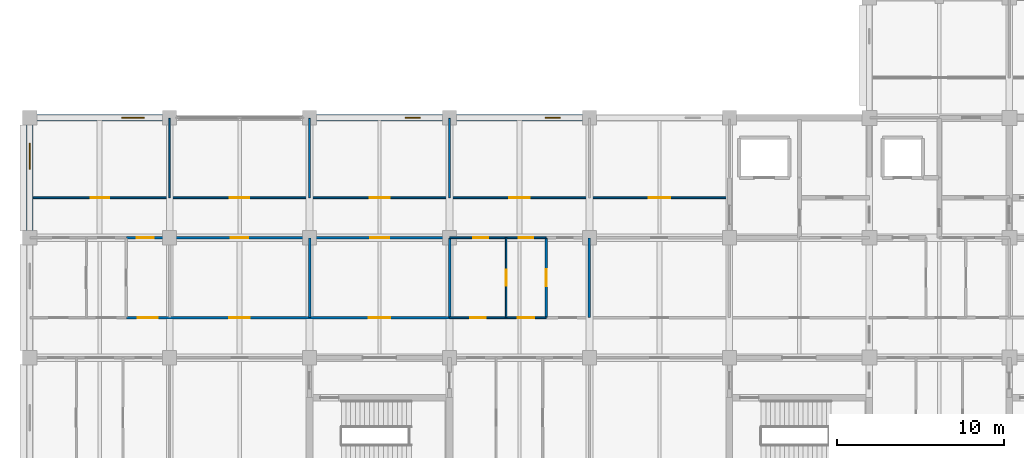
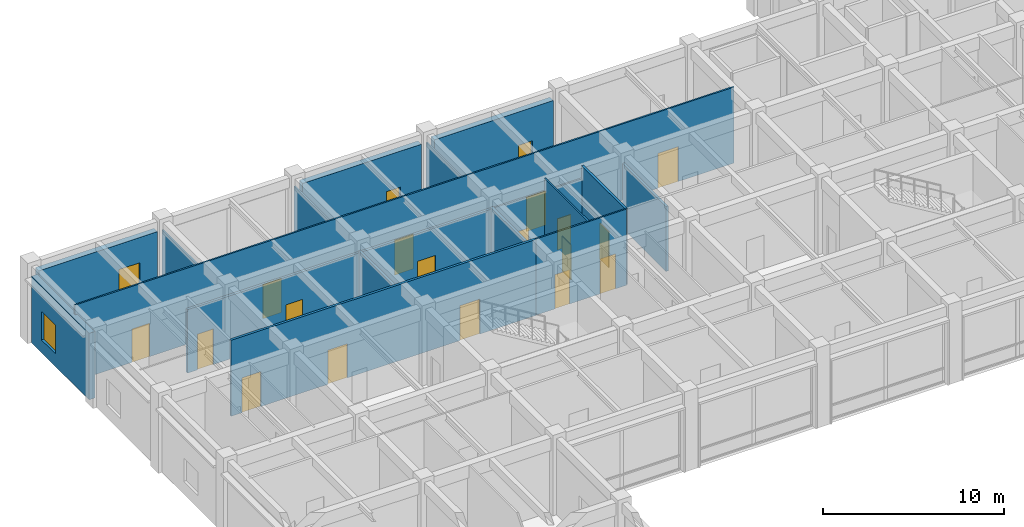
# One storey, part 43 of 68: 17 doors, 17 walls, 4 windows, 21 openings.
"""IFC4 building model written with IfcOpenShell, lengths in metres."""

from ifc_helpers import new_model, si_unit, direction, frame, frame_2d, origin, place, context, subcontext, project, spatial, rectangle, extrude, material, layer, layer_set, type_object, element, fill, save


model = new_model("IFC4")

# Units and contexts
model_context = context("Model", 3, precision=1e-05, world=origin(), true_north=direction((0.0, 1.0)))
body_context = subcontext(model_context, "Body", "Model", "MODEL_VIEW")
ifc_project = project(units=[si_unit("LENGTHUNIT", "METRE"), si_unit("AREAUNIT", "SQUARE_METRE"), si_unit("VOLUMEUNIT", "CUBIC_METRE"), si_unit("PLANEANGLEUNIT", "RADIAN"), si_unit("MASSUNIT", "GRAM", prefix="KILO")], contexts=[model_context])

# Site, building, storey
site_placement = place(None, origin())
site = spatial("IfcSite", under=ifc_project, at=site_placement, CompositionType="ELEMENT")
building_placement = place(site_placement, origin())
building = spatial("IfcBuilding", under=site, at=building_placement, Name="Chengyuan Square Courthouse", CompositionType="ELEMENT")
storey_placement = place(building_placement, frame((0.0, 0.0, 5.39990234375)))
storey = spatial("IfcBuildingStorey", under=building, at=storey_placement, Name="L02", CompositionType="ELEMENT", Elevation=5.39990234375)

# Wall, opening, window
ifc_material_1 = material(Name="Concrete C40", Category="concrete")
ifc_layer_1 = layer(ifc_material_1, 0.3798828125)
ifc_layer_set_1 = layer_set([ifc_layer_1], Name="Concrete C40")
wall_type_1 = type_object("IfcWallType", Name="WL-EW1", PredefinedType="STANDARD", material=ifc_layer_set_1)
wall_1_placement = place(storey_placement, frame((0.419921875, 108.0, 0.0), z_axis=(0.0, 0.0, 1.0), x_axis=(1.0, 0.0, 0.0)))
wall_1 = element("IfcWall", 1, at=wall_1_placement, inside=storey, type_object=wall_type_1, Name="Exterior Wall WL-L02-E214", PredefinedType="STANDARD", context=body_context, shape_type="SweptSolid", body=[
    extrude(rectangle(XDim=7.56005859375, YDim=0.3798828125, at=frame_2d((3.780029296875, 0.0))), origin(), (0.0, 0.0, 1.0), 4.47021484375),
])
opening_1_placement = place(wall_1_placement, frame((5.10498046875, 0.0, 0.85009765625)))
opening_1 = element("IfcOpeningElement", 2, at=opening_1_placement, cuts=wall_1, Name="Opening WN-028", PredefinedType="OPENING", context=body_context, shape_type="SweptSolid", body=[
    extrude(rectangle(XDim=1.35009765625, YDim=1.919921875, at=frame_2d((0.675048828125, 0.9599609375))), frame((0.0, 0.201904296875, 0.0), z_axis=(0.0, -1.0, 0.0), x_axis=(1.0, 0.0, 0.0)), (0.0, 0.0, 1.0), 0.40380859375),
])
ifc_material_2 = material(Name="Thermally Broken Aluminium Triple Low-E Window", Category="aluminium")
window_type_1 = type_object("IfcWindowType", Name="WT-23", PartitioningType="SINGLE_PANEL", PredefinedType="WINDOW", material=ifc_material_2)
window_1_placement = place(opening_1_placement, origin())
window_1 = element("IfcWindow", 3, at=window_1_placement, inside=storey, type_object=window_type_1, Name="Facade Window WN-028", OverallHeight=1.919921875, OverallWidth=1.35009765625, PartitioningType="SINGLE_PANEL", PredefinedType="WINDOW", context=body_context, shape_type="SweptSolid", body=[
    extrude(rectangle(XDim=1.35009765625, YDim=1.919921875, at=frame_2d((0.675048828125, 0.9599609375))), frame((0.0, 0.030029296875, 0.0), z_axis=(0.0, -1.0, 0.0), x_axis=(1.0, 0.0, 0.0)), (0.0, 0.0, 1.0), 0.06005859375),
])
fill(opening_1, window_1)

wall_2_placement = place(storey_placement, frame((0.0, 101.219970703125, 0.0), z_axis=(0.0, 0.0, 1.0), x_axis=(0.0, 1.0, 0.0)))
wall_2 = element("IfcWall", 4, at=wall_2_placement, inside=storey, type_object=wall_type_1, Name="Exterior Wall WL-L02-E215", PredefinedType="STANDARD", context=body_context, shape_type="SweptSolid", body=[
    extrude(rectangle(XDim=6.360107421875, YDim=0.3798828125, at=frame_2d((3.18017578125, 0.0))), origin(), (0.0, 0.0, 1.0), 4.47021484375),
])
opening_2_placement = place(wall_2_placement, frame((3.705078125, 0.0, 0.85009765625)))
opening_2 = element("IfcOpeningElement", 5, at=opening_2_placement, cuts=wall_2, Name="Opening WN-029", PredefinedType="OPENING", context=body_context, shape_type="SweptSolid", body=[
    extrude(rectangle(XDim=1.550048828125, YDim=1.919921875, at=frame_2d((0.77490234375, 0.9599609375))), frame((0.0, 0.201904296875, 0.0), z_axis=(0.0, -1.0, 0.0), x_axis=(1.0, 0.0, 0.0)), (0.0, 0.0, 1.0), 0.40380859375),
])
window_type_2 = type_object("IfcWindowType", Name="WT-29", PartitioningType="SINGLE_PANEL", PredefinedType="WINDOW", material=ifc_material_2)
window_2_placement = place(opening_2_placement, origin())
window_2 = element("IfcWindow", 6, at=window_2_placement, inside=storey, type_object=window_type_2, Name="Facade Window WN-029", OverallHeight=1.919921875, OverallWidth=1.550048828125, PartitioningType="SINGLE_PANEL", PredefinedType="WINDOW", context=body_context, shape_type="SweptSolid", body=[
    extrude(rectangle(XDim=1.550048828125, YDim=1.919921875, at=frame_2d((0.77490234375, 0.9599609375))), frame((0.0, 0.030029296875, 0.0), z_axis=(0.0, -1.0, 0.0), x_axis=(1.0, 0.0, 0.0)), (0.0, 0.0, 1.0), 0.06005859375),
])
fill(opening_2, window_2)

wall_3_placement = place(storey_placement, frame((17.219970703125, 108.0, 0.0), z_axis=(0.0, 0.0, 1.0), x_axis=(1.0, 0.0, 0.0)))
wall_3 = element("IfcWall", 7, at=wall_3_placement, inside=storey, type_object=wall_type_1, Name="Exterior Wall WL-L02-E223", PredefinedType="STANDARD", context=body_context, shape_type="SweptSolid", body=[
    extrude(rectangle(XDim=7.56005859375, YDim=0.3798828125, at=frame_2d((3.780029296875, 0.0))), origin(), (0.0, 0.0, 1.0), 4.47021484375),
])
opening_3_placement = place(wall_3_placement, frame((5.330078125, 0.0, 0.85009765625)))
opening_3 = element("IfcOpeningElement", 8, at=opening_3_placement, cuts=wall_3, Name="Opening WN-036", PredefinedType="OPENING", context=body_context, shape_type="SweptSolid", body=[
    extrude(rectangle(XDim=0.89990234375, YDim=1.199951171875, at=frame_2d((0.449951171875, 0.60009765625))), frame((0.0, 0.201904296875, 0.0), z_axis=(0.0, -1.0, 0.0), x_axis=(1.0, 0.0, 0.0)), (0.0, 0.0, 1.0), 0.40380859375),
])
window_type_3 = type_object("IfcWindowType", Name="WT-01", PartitioningType="SINGLE_PANEL", PredefinedType="WINDOW", material=ifc_material_2)
window_3_placement = place(opening_3_placement, origin())
window_3 = element("IfcWindow", 9, at=window_3_placement, inside=storey, type_object=window_type_3, Name="Facade Window WN-036", OverallHeight=1.199951171875, OverallWidth=0.89990234375, PartitioningType="SINGLE_PANEL", PredefinedType="WINDOW", context=body_context, shape_type="SweptSolid", body=[
    extrude(rectangle(XDim=0.89990234375, YDim=1.199951171875, at=frame_2d((0.449951171875, 0.60009765625))), frame((0.0, 0.030029296875, 0.0), z_axis=(0.0, -1.0, 0.0), x_axis=(1.0, 0.0, 0.0)), (0.0, 0.0, 1.0), 0.06005859375),
])
fill(opening_3, window_3)

wall_4_placement = place(storey_placement, frame((25.6201171875, 108.0, 0.0), z_axis=(0.0, 0.0, 1.0), x_axis=(1.0, 0.0, 0.0)))
wall_4 = element("IfcWall", 10, at=wall_4_placement, inside=storey, type_object=wall_type_1, Name="Exterior Wall WL-L02-E224", PredefinedType="STANDARD", context=body_context, shape_type="SweptSolid", body=[
    extrude(rectangle(XDim=7.559814453125, YDim=0.3798828125, at=frame_2d((3.77978515625, 0.0))), origin(), (0.0, 0.0, 1.0), 4.47021484375),
])
opening_4_placement = place(wall_4_placement, frame((5.330078125, 0.0, 0.85009765625)))
opening_4 = element("IfcOpeningElement", 11, at=opening_4_placement, cuts=wall_4, Name="Opening WN-037", PredefinedType="OPENING", context=body_context, shape_type="SweptSolid", body=[
    extrude(rectangle(XDim=0.89990234375, YDim=1.3798828125, at=frame_2d((0.449951171875, 0.68994140625))), frame((0.0, 0.201904296875, 0.0), z_axis=(0.0, -1.0, 0.0), x_axis=(1.0, 0.0, 0.0)), (0.0, 0.0, 1.0), 0.40380859375),
])
window_type_4 = type_object("IfcWindowType", Name="WT-02", PartitioningType="SINGLE_PANEL", PredefinedType="WINDOW", material=ifc_material_2)
window_4_placement = place(opening_4_placement, origin())
window_4 = element("IfcWindow", 12, at=window_4_placement, inside=storey, type_object=window_type_4, Name="Facade Window WN-037", OverallHeight=1.3798828125, OverallWidth=0.89990234375, PartitioningType="SINGLE_PANEL", PredefinedType="WINDOW", context=body_context, shape_type="SweptSolid", body=[
    extrude(rectangle(XDim=0.89990234375, YDim=1.3798828125, at=frame_2d((0.449951171875, 0.68994140625))), frame((0.0, 0.030029296875, 0.0), z_axis=(0.0, -1.0, 0.0), x_axis=(1.0, 0.0, 0.0)), (0.0, 0.0, 1.0), 0.06005859375),
])
fill(opening_4, window_4)

# Wall, openings, doors
ifc_material_3 = material(Name="Deliberation Room Sound-Insulated Partition")
ifc_layer_2 = layer(ifc_material_3, 0.14990234375)
ifc_layer_set_2 = layer_set([ifc_layer_2], Name="Deliberation Room Sound-Insulated Partition")
wall_type_2 = type_object("IfcWallType", Name="WL-PT3", PredefinedType="STANDARD", material=ifc_layer_set_2)
wall_5_placement = place(storey_placement, frame((5.800048828125, 96.0, 0.0), z_axis=(0.0, 0.0, 1.0), x_axis=(1.0, 0.0, 0.0)))
wall_5 = element("IfcWall", 13, at=wall_5_placement, inside=storey, type_object=wall_type_2, Name="Interior Wall WL-L02-I1112", PredefinedType="STANDARD", context=body_context, shape_type="SweptSolid", body=[
    extrude(rectangle(XDim=19.39990234375, YDim=0.14990234375, at=frame_2d((9.699951171875, 0.0))), origin(), (0.0, 0.0, 1.0), 5.1201171875),
])
opening_5_placement = place(wall_5_placement, frame((0.699951171875, 0.0, 0.0)))
opening_5 = element("IfcOpeningElement", 14, at=opening_5_placement, cuts=wall_5, Name="Opening DR-1112", PredefinedType="OPENING", context=body_context, shape_type="SweptSolid", body=[
    extrude(rectangle(XDim=1.199951171875, YDim=2.35009765625, at=frame_2d((0.60009765625, 1.175048828125))), frame((0.0, 0.0869140625, 0.0), z_axis=(0.0, -1.0, 0.0), x_axis=(1.0, 0.0, 0.0)), (0.0, 0.0, 1.0), 0.173828125),
])
opening_6_placement = place(wall_5_placement, frame((6.179931640625, 0.0, 0.0)))
opening_6 = element("IfcOpeningElement", 15, at=opening_6_placement, cuts=wall_5, Name="Opening DR-1113", PredefinedType="OPENING", context=body_context, shape_type="SweptSolid", body=[
    extrude(rectangle(XDim=1.239990234375, YDim=2.300048828125, at=frame_2d((0.6201171875, 1.14990234375))), frame((0.0, 0.0869140625, 0.0), z_axis=(0.0, -1.0, 0.0), x_axis=(1.0, 0.0, 0.0)), (0.0, 0.0, 1.0), 0.173828125),
])
opening_7_placement = place(wall_5_placement, frame((14.56005859375, 0.0, 0.0)))
opening_7 = element("IfcOpeningElement", 16, at=opening_7_placement, cuts=wall_5, Name="Opening DR-1114", PredefinedType="OPENING", context=body_context, shape_type="SweptSolid", body=[
    extrude(rectangle(XDim=1.280029296875, YDim=2.35009765625, at=frame_2d((0.64013671875, 1.175048828125))), frame((0.0, 0.0869140625, 0.0), z_axis=(0.0, -1.0, 0.0), x_axis=(1.0, 0.0, 0.0)), (0.0, 0.0, 1.0), 0.173828125),
])
ifc_material_4 = material(Name="Acoustic Solid-Core Timber Door", Category="wood")
door_type_1 = type_object("IfcDoorType", Name="DT-36", OperationType="NOTDEFINED", PredefinedType="DOOR", material=ifc_material_4)
door_1_placement = place(opening_5_placement, origin())
door_1 = element("IfcDoor", 17, at=door_1_placement, inside=storey, type_object=door_type_1, Name="Interior Door DR-1112", OperationType="SINGLE_SWING_RIGHT", OverallHeight=2.35009765625, OverallWidth=1.199951171875, PredefinedType="DOOR", context=body_context, shape_type="SweptSolid", body=[
    extrude(rectangle(XDim=1.199951171875, YDim=2.35009765625, at=frame_2d((0.60009765625, 1.175048828125))), frame((0.0, 0.02490234375, 0.0), z_axis=(0.0, -1.0, 0.0), x_axis=(1.0, 0.0, 0.0)), (0.0, 0.0, 1.0), 0.050048828125),
])
fill(opening_5, door_1)
door_type_2 = type_object("IfcDoorType", Name="DT-37", OperationType="NOTDEFINED", PredefinedType="DOOR", material=ifc_material_4)
door_2_placement = place(opening_6_placement, origin())
door_2 = element("IfcDoor", 18, at=door_2_placement, inside=storey, type_object=door_type_2, Name="Interior Door DR-1113", OperationType="SINGLE_SWING_LEFT", OverallHeight=2.300048828125, OverallWidth=1.239990234375, PredefinedType="DOOR", context=body_context, shape_type="SweptSolid", body=[
    extrude(rectangle(XDim=1.239990234375, YDim=2.300048828125, at=frame_2d((0.6201171875, 1.14990234375))), frame((0.0, 0.02490234375, 0.0), z_axis=(0.0, -1.0, 0.0), x_axis=(1.0, 0.0, 0.0)), (0.0, 0.0, 1.0), 0.050048828125),
])
fill(opening_6, door_2)
door_type_3 = type_object("IfcDoorType", Name="DT-38", OperationType="NOTDEFINED", PredefinedType="DOOR", material=ifc_material_4)
door_3_placement = place(opening_7_placement, origin())
door_3 = element("IfcDoor", 19, at=door_3_placement, inside=storey, type_object=door_type_3, Name="Interior Door DR-1114", OperationType="SINGLE_SWING_RIGHT", OverallHeight=2.35009765625, OverallWidth=1.280029296875, PredefinedType="DOOR", context=body_context, shape_type="SweptSolid", body=[
    extrude(rectangle(XDim=1.280029296875, YDim=2.35009765625, at=frame_2d((0.64013671875, 1.175048828125))), frame((0.0, 0.02490234375, 0.0), z_axis=(0.0, -1.0, 0.0), x_axis=(1.0, 0.0, 0.0)), (0.0, 0.0, 1.0), 0.050048828125),
])
fill(opening_7, door_3)

wall_6_placement = place(storey_placement, frame((5.800048828125, 100.800048828125, 0.0), z_axis=(0.0, 0.0, 1.0), x_axis=(1.0, 0.0, 0.0)))
wall_6 = element("IfcWall", 20, at=wall_6_placement, inside=storey, type_object=wall_type_2, Name="Interior Wall WL-L02-I1127", PredefinedType="STANDARD", context=body_context, shape_type="SweptSolid", body=[
    extrude(rectangle(XDim=19.39990234375, YDim=0.14990234375, at=frame_2d((9.699951171875, 0.0))), origin(), (0.0, 0.0, 1.0), 4.27001953125),
])
opening_8_placement = place(wall_6_placement, frame((0.617431640625, 0.0, 0.0)))
opening_8 = element("IfcOpeningElement", 21, at=opening_8_placement, cuts=wall_6, Name="Opening DR-1083", PredefinedType="OPENING", context=body_context, shape_type="SweptSolid", body=[
    extrude(rectangle(XDim=1.02001953125, YDim=2.39990234375, at=frame_2d((0.510009765625, 1.199951171875))), frame((0.0, 0.0869140625, 0.0), z_axis=(0.0, -1.0, 0.0), x_axis=(1.0, 0.0, 0.0)), (0.0, 0.0, 1.0), 0.173828125),
])
opening_9_placement = place(wall_6_placement, frame((6.27001953125, 0.0, 0.0)))
opening_9 = element("IfcOpeningElement", 22, at=opening_9_placement, cuts=wall_6, Name="Opening DR-1084", PredefinedType="OPENING", context=body_context, shape_type="SweptSolid", body=[
    extrude(rectangle(XDim=1.06005859375, YDim=2.39990234375, at=frame_2d((0.530029296875, 1.199951171875))), frame((0.0, 0.0869140625, 0.0), z_axis=(0.0, -1.0, 0.0), x_axis=(1.0, 0.0, 0.0)), (0.0, 0.0, 1.0), 0.173828125),
])
opening_10_placement = place(wall_6_placement, frame((14.6298828125, 0.0, 0.0)))
opening_10 = element("IfcOpeningElement", 23, at=opening_10_placement, cuts=wall_6, Name="Opening DR-1085", PredefinedType="OPENING", context=body_context, shape_type="SweptSolid", body=[
    extrude(rectangle(XDim=1.139892578125, YDim=2.39990234375, at=frame_2d((0.56982421875, 1.199951171875))), frame((0.0, 0.0869140625, 0.0), z_axis=(0.0, -1.0, 0.0), x_axis=(1.0, 0.0, 0.0)), (0.0, 0.0, 1.0), 0.173828125),
])
door_type_4 = type_object("IfcDoorType", Name="DT-41", OperationType="NOTDEFINED", PredefinedType="DOOR", material=ifc_material_4)
door_4_placement = place(opening_8_placement, origin())
door_4 = element("IfcDoor", 24, at=door_4_placement, inside=storey, type_object=door_type_4, Name="Interior Door DR-1083", OperationType="SINGLE_SWING_RIGHT", OverallHeight=2.39990234375, OverallWidth=1.02001953125, PredefinedType="DOOR", context=body_context, shape_type="SweptSolid", body=[
    extrude(rectangle(XDim=1.02001953125, YDim=2.39990234375, at=frame_2d((0.510009765625, 1.199951171875))), frame((0.0, 0.02490234375, 0.0), z_axis=(0.0, -1.0, 0.0), x_axis=(1.0, 0.0, 0.0)), (0.0, 0.0, 1.0), 0.050048828125),
])
fill(opening_8, door_4)
door_type_5 = type_object("IfcDoorType", Name="DT-42", OperationType="NOTDEFINED", PredefinedType="DOOR", material=ifc_material_4)
door_5_placement = place(opening_9_placement, origin())
door_5 = element("IfcDoor", 25, at=door_5_placement, inside=storey, type_object=door_type_5, Name="Interior Door DR-1084", OperationType="SINGLE_SWING_LEFT", OverallHeight=2.39990234375, OverallWidth=1.06005859375, PredefinedType="DOOR", context=body_context, shape_type="SweptSolid", body=[
    extrude(rectangle(XDim=1.06005859375, YDim=2.39990234375, at=frame_2d((0.530029296875, 1.199951171875))), frame((0.0, 0.02490234375, 0.0), z_axis=(0.0, -1.0, 0.0), x_axis=(1.0, 0.0, 0.0)), (0.0, 0.0, 1.0), 0.050048828125),
])
fill(opening_9, door_5)
door_type_6 = type_object("IfcDoorType", Name="DT-43", OperationType="NOTDEFINED", PredefinedType="DOOR", material=ifc_material_4)
door_6_placement = place(opening_10_placement, origin())
door_6 = element("IfcDoor", 26, at=door_6_placement, inside=storey, type_object=door_type_6, Name="Interior Door DR-1085", OperationType="SINGLE_SWING_RIGHT", OverallHeight=2.39990234375, OverallWidth=1.139892578125, PredefinedType="DOOR", context=body_context, shape_type="SweptSolid", body=[
    extrude(rectangle(XDim=1.139892578125, YDim=2.39990234375, at=frame_2d((0.56982421875, 1.199951171875))), frame((0.0, 0.02490234375, 0.0), z_axis=(0.0, -1.0, 0.0), x_axis=(1.0, 0.0, 0.0)), (0.0, 0.0, 1.0), 0.050048828125),
])
fill(opening_10, door_6)

# Walls
for number, where, z_axis, x_axis, name in (
    (27, (16.800048828125, 96.0, 0.0), (0.0, 0.0, 1.0), (0.0, 1.0, 0.0), "Interior Wall WL-L02-I1218"),
    (28, (25.199951171875, 96.0, 0.0), (0.0, 0.0, 1.0), (0.0, 1.0, 0.0), "Interior Wall WL-L02-I1223"),
):
    element("IfcWall", number, at=place(storey_placement, frame(where, z_axis=z_axis, x_axis=x_axis)), inside=storey, type_object=wall_type_2, Name=name, PredefinedType="STANDARD", context=body_context, shape_type="SweptSolid", body=[
        extrude(rectangle(XDim=4.800048828125, YDim=0.14990234375, at=frame_2d((2.39990234375, 0.0))), origin(), (0.0, 0.0, 1.0), 4.3701171875),
    ])

# Wall, opening, door
wall_7_placement = place(storey_placement, frame((31.0, 96.0, 0.0), z_axis=(0.0, 0.0, 1.0), x_axis=(0.0, 1.0, 0.0)))
wall_7 = element("IfcWall", 29, at=wall_7_placement, inside=storey, type_object=wall_type_2, Name="Interior Wall WL-L02-I1228", PredefinedType="STANDARD", context=body_context, shape_type="SweptSolid", body=[
    extrude(rectangle(XDim=4.800048828125, YDim=0.14990234375, at=frame_2d((2.39990234375, 0.0))), origin(), (0.0, 0.0, 1.0), 5.1201171875),
])
opening_11_placement = place(wall_7_placement, frame((1.889892578125, 0.0, 0.0)))
opening_11 = element("IfcOpeningElement", 30, at=opening_11_placement, cuts=wall_7, Name="Opening DR-1168", PredefinedType="OPENING", context=body_context, shape_type="SweptSolid", body=[
    extrude(rectangle(XDim=1.02001953125, YDim=2.39990234375, at=frame_2d((0.510009765625, 1.199951171875))), frame((0.0, 0.0869140625, 0.0), z_axis=(0.0, -1.0, 0.0), x_axis=(1.0, 0.0, 0.0)), (0.0, 0.0, 1.0), 0.173828125),
])
door_7_placement = place(opening_11_placement, origin())
door_7 = element("IfcDoor", 31, at=door_7_placement, inside=storey, type_object=door_type_4, Name="Interior Door DR-1168", OperationType="SINGLE_SWING_LEFT", OverallHeight=2.39990234375, OverallWidth=1.02001953125, PredefinedType="DOOR", context=body_context, shape_type="SweptSolid", body=[
    extrude(rectangle(XDim=1.02001953125, YDim=2.39990234375, at=frame_2d((0.510009765625, 1.199951171875))), frame((0.0, 0.02490234375, 0.0), z_axis=(0.0, -1.0, 0.0), x_axis=(1.0, 0.0, 0.0)), (0.0, 0.0, 1.0), 0.050048828125),
])
fill(opening_11, door_7)

# Wall
wall_8_placement = place(storey_placement, frame((33.60009765625, 96.0, 0.0), z_axis=(0.0, 0.0, 1.0), x_axis=(0.0, 1.0, 0.0)))
element("IfcWall", 32, at=wall_8_placement, inside=storey, type_object=wall_type_2, Name="Interior Wall WL-L02-I1231", PredefinedType="STANDARD", context=body_context, shape_type="SweptSolid", body=[
    extrude(rectangle(XDim=4.800048828125, YDim=0.14990234375, at=frame_2d((2.39990234375, 0.0))), origin(), (0.0, 0.0, 1.0), 4.3701171875),
])

# Wall, openings, doors
ifc_material_5 = material(Name="Gypsum Plasterboard Acoustic Stud Partition")
ifc_layer_3 = layer(ifc_material_5, 0.10009765625)
ifc_layer_set_3 = layer_set([ifc_layer_3], Name="Gypsum Plasterboard Acoustic Stud Partition")
wall_type_3 = type_object("IfcWallType", Name="WL-PT6", PredefinedType="STANDARD", material=ifc_layer_set_3)
wall_9_placement = place(storey_placement, frame((25.199951171875, 96.0, 0.0), z_axis=(0.0, 0.0, 1.0), x_axis=(1.0, 0.0, 0.0)))
wall_9 = element("IfcWall", 33, at=wall_9_placement, inside=storey, type_object=wall_type_3, Name="Interior Wall WL-L02-I1113", PredefinedType="STANDARD", context=body_context, shape_type="SweptSolid", body=[
    extrude(rectangle(XDim=5.800048828125, YDim=0.10009765625, at=frame_2d((2.89990234375, 0.0))), origin(), (0.0, 0.0, 1.0), 5.1201171875),
])
opening_12_placement = place(wall_9_placement, frame((1.22998046875, 0.0, 0.0)))
opening_12 = element("IfcOpeningElement", 34, at=opening_12_placement, cuts=wall_9, Name="Opening DR-1115", PredefinedType="OPENING", context=body_context, shape_type="SweptSolid", body=[
    extrude(rectangle(XDim=0.93994140625, YDim=2.300048828125, at=frame_2d((0.469970703125, 1.14990234375))), frame((0.0, 0.06201171875, 0.0), z_axis=(0.0, -1.0, 0.0), x_axis=(1.0, 0.0, 0.0)), (0.0, 0.0, 1.0), 0.1240234375),
])
opening_13_placement = place(wall_9_placement, frame((4.110107421875, 0.0, 0.0)))
opening_13 = element("IfcOpeningElement", 35, at=opening_13_placement, cuts=wall_9, Name="Opening DR-1116", PredefinedType="OPENING", context=body_context, shape_type="SweptSolid", body=[
    extrude(rectangle(XDim=0.97998046875, YDim=2.35009765625, at=frame_2d((0.489990234375, 1.175048828125))), frame((0.0, 0.06201171875, 0.0), z_axis=(0.0, -1.0, 0.0), x_axis=(1.0, 0.0, 0.0)), (0.0, 0.0, 1.0), 0.1240234375),
])
door_type_7 = type_object("IfcDoorType", Name="DT-39", OperationType="NOTDEFINED", PredefinedType="DOOR", material=ifc_material_4)
door_8_placement = place(opening_12_placement, origin())
door_8 = element("IfcDoor", 36, at=door_8_placement, inside=storey, type_object=door_type_7, Name="Interior Door DR-1115", OperationType="SINGLE_SWING_LEFT", OverallHeight=2.300048828125, OverallWidth=0.93994140625, PredefinedType="DOOR", context=body_context, shape_type="SweptSolid", body=[
    extrude(rectangle(XDim=0.93994140625, YDim=2.300048828125, at=frame_2d((0.469970703125, 1.14990234375))), frame((0.0, 0.02490234375, 0.0), z_axis=(0.0, -1.0, 0.0), x_axis=(1.0, 0.0, 0.0)), (0.0, 0.0, 1.0), 0.050048828125),
])
fill(opening_12, door_8)
door_type_8 = type_object("IfcDoorType", Name="DT-40", OperationType="NOTDEFINED", PredefinedType="DOOR", material=ifc_material_4)
door_9_placement = place(opening_13_placement, origin())
door_9 = element("IfcDoor", 37, at=door_9_placement, inside=storey, type_object=door_type_8, Name="Interior Door DR-1116", OperationType="SINGLE_SWING_RIGHT", OverallHeight=2.35009765625, OverallWidth=0.97998046875, PredefinedType="DOOR", context=body_context, shape_type="SweptSolid", body=[
    extrude(rectangle(XDim=0.97998046875, YDim=2.35009765625, at=frame_2d((0.489990234375, 1.175048828125))), frame((0.0, 0.02490234375, 0.0), z_axis=(0.0, -1.0, 0.0), x_axis=(1.0, 0.0, 0.0)), (0.0, 0.0, 1.0), 0.050048828125),
])
fill(opening_13, door_9)

wall_10_placement = place(storey_placement, frame((25.199951171875, 100.800048828125, 0.0), z_axis=(0.0, 0.0, 1.0), x_axis=(1.0, 0.0, 0.0)))
wall_10 = element("IfcWall", 38, at=wall_10_placement, inside=storey, type_object=wall_type_3, Name="Interior Wall WL-L02-I1128", PredefinedType="STANDARD", context=body_context, shape_type="SweptSolid", body=[
    extrude(rectangle(XDim=5.800048828125, YDim=0.10009765625, at=frame_2d((2.89990234375, 0.0))), origin(), (0.0, 0.0, 1.0), 4.27001953125),
])
opening_14_placement = place(wall_10_placement, frame((1.422607421875, 0.0, 0.0)))
opening_14 = element("IfcOpeningElement", 39, at=opening_14_placement, cuts=wall_10, Name="Opening DR-1086", PredefinedType="OPENING", context=body_context, shape_type="SweptSolid", body=[
    extrude(rectangle(XDim=0.89990234375, YDim=2.14990234375, at=frame_2d((0.449951171875, 1.074951171875))), frame((0.0, 0.06201171875, 0.0), z_axis=(0.0, -1.0, 0.0), x_axis=(1.0, 0.0, 0.0)), (0.0, 0.0, 1.0), 0.1240234375),
])
opening_15_placement = place(wall_10_placement, frame((4.169921875, 0.0, 0.0)))
opening_15 = element("IfcOpeningElement", 40, at=opening_15_placement, cuts=wall_10, Name="Opening DR-1087", PredefinedType="OPENING", context=body_context, shape_type="SweptSolid", body=[
    extrude(rectangle(XDim=0.860107421875, YDim=2.10009765625, at=frame_2d((0.43017578125, 1.050048828125))), frame((0.0, 0.06201171875, 0.0), z_axis=(0.0, -1.0, 0.0), x_axis=(1.0, 0.0, 0.0)), (0.0, 0.0, 1.0), 0.1240234375),
])
door_type_9 = type_object("IfcDoorType", Name="DT-27", OperationType="NOTDEFINED", PredefinedType="DOOR", material=ifc_material_4)
door_10_placement = place(opening_14_placement, origin())
door_10 = element("IfcDoor", 41, at=door_10_placement, inside=storey, type_object=door_type_9, Name="Interior Door DR-1086", OperationType="SINGLE_SWING_LEFT", OverallHeight=2.14990234375, OverallWidth=0.89990234375, PredefinedType="DOOR", context=body_context, shape_type="SweptSolid", body=[
    extrude(rectangle(XDim=0.89990234375, YDim=2.14990234375, at=frame_2d((0.449951171875, 1.074951171875))), frame((0.0, 0.02490234375, 0.0), z_axis=(0.0, -1.0, 0.0), x_axis=(1.0, 0.0, 0.0)), (0.0, 0.0, 1.0), 0.050048828125),
])
fill(opening_14, door_10)
door_type_10 = type_object("IfcDoorType", Name="DT-28", OperationType="NOTDEFINED", PredefinedType="DOOR", material=ifc_material_4)
door_11_placement = place(opening_15_placement, origin())
door_11 = element("IfcDoor", 42, at=door_11_placement, inside=storey, type_object=door_type_10, Name="Interior Door DR-1087", OperationType="SINGLE_SWING_RIGHT", OverallHeight=2.10009765625, OverallWidth=0.860107421875, PredefinedType="DOOR", context=body_context, shape_type="SweptSolid", body=[
    extrude(rectangle(XDim=0.860107421875, YDim=2.10009765625, at=frame_2d((0.43017578125, 1.050048828125))), frame((0.0, 0.02490234375, 0.0), z_axis=(0.0, -1.0, 0.0), x_axis=(1.0, 0.0, 0.0)), (0.0, 0.0, 1.0), 0.050048828125),
])
fill(opening_15, door_11)

wall_11_placement = place(storey_placement, frame((0.0400390625, 103.199951171875, 0.0), z_axis=(0.0, 0.0, 1.0), x_axis=(1.0, 0.0, 0.0)))
wall_11 = element("IfcWall", 43, at=wall_11_placement, inside=storey, type_object=wall_type_3, Name="Interior Wall WL-L02-I1152", PredefinedType="STANDARD", context=body_context, shape_type="SweptSolid", body=[
    extrude(rectangle(XDim=41.9599609375, YDim=0.10009765625, at=frame_2d((20.97998046875, 0.0))), origin(), (0.0, 0.0, 1.0), 5.1201171875),
])
opening_16_placement = place(wall_11_placement, frame((3.6201171875, 0.0, 0.0)))
opening_16 = element("IfcOpeningElement", 44, at=opening_16_placement, cuts=wall_11, Name="Opening DR-1076", PredefinedType="OPENING", context=body_context, shape_type="SweptSolid", body=[
    extrude(rectangle(XDim=1.1201171875, YDim=2.25, at=frame_2d((0.56005859375, 1.125))), frame((0.0, 0.06201171875, 0.0), z_axis=(0.0, -1.0, 0.0), x_axis=(1.0, 0.0, 0.0)), (0.0, 0.0, 1.0), 0.1240234375),
])
opening_17_placement = place(wall_11_placement, frame((11.97998046875, 0.0, 0.0)))
opening_17 = element("IfcOpeningElement", 45, at=opening_17_placement, cuts=wall_11, Name="Opening DR-1077", PredefinedType="OPENING", context=body_context, shape_type="SweptSolid", body=[
    extrude(rectangle(XDim=1.159912109375, YDim=2.300048828125, at=frame_2d((0.580078125, 1.14990234375))), frame((0.0, 0.06201171875, 0.0), z_axis=(0.0, -1.0, 0.0), x_axis=(1.0, 0.0, 0.0)), (0.0, 0.0, 1.0), 0.1240234375),
])
opening_18_placement = place(wall_11_placement, frame((20.360107421875, 0.0, 0.0)))
opening_18 = element("IfcOpeningElement", 46, at=opening_18_placement, cuts=wall_11, Name="Opening DR-1078", PredefinedType="OPENING", context=body_context, shape_type="SweptSolid", body=[
    extrude(rectangle(XDim=1.199951171875, YDim=2.35009765625, at=frame_2d((0.60009765625, 1.175048828125))), frame((0.0, 0.06201171875, 0.0), z_axis=(0.0, -1.0, 0.0), x_axis=(1.0, 0.0, 0.0)), (0.0, 0.0, 1.0), 0.1240234375),
])
opening_19_placement = place(wall_11_placement, frame((28.739990234375, 0.0, 0.0)))
opening_19 = element("IfcOpeningElement", 47, at=opening_19_placement, cuts=wall_11, Name="Opening DR-1079", PredefinedType="OPENING", context=body_context, shape_type="SweptSolid", body=[
    extrude(rectangle(XDim=1.239990234375, YDim=2.300048828125, at=frame_2d((0.6201171875, 1.14990234375))), frame((0.0, 0.06201171875, 0.0), z_axis=(0.0, -1.0, 0.0), x_axis=(1.0, 0.0, 0.0)), (0.0, 0.0, 1.0), 0.1240234375),
])
opening_20_placement = place(wall_11_placement, frame((37.1201171875, 0.0, 0.0)))
opening_20 = element("IfcOpeningElement", 48, at=opening_20_placement, cuts=wall_11, Name="Opening DR-1080", PredefinedType="OPENING", context=body_context, shape_type="SweptSolid", body=[
    extrude(rectangle(XDim=1.280029296875, YDim=2.35009765625, at=frame_2d((0.64013671875, 1.175048828125))), frame((0.0, 0.06201171875, 0.0), z_axis=(0.0, -1.0, 0.0), x_axis=(1.0, 0.0, 0.0)), (0.0, 0.0, 1.0), 0.1240234375),
])
door_type_11 = type_object("IfcDoorType", Name="DT-34", OperationType="NOTDEFINED", PredefinedType="DOOR", material=ifc_material_4)
door_12_placement = place(opening_16_placement, origin())
door_12 = element("IfcDoor", 49, at=door_12_placement, inside=storey, type_object=door_type_11, Name="Interior Door DR-1076", OperationType="SINGLE_SWING_LEFT", OverallHeight=2.25, OverallWidth=1.1201171875, PredefinedType="DOOR", context=body_context, shape_type="SweptSolid", body=[
    extrude(rectangle(XDim=1.1201171875, YDim=2.25, at=frame_2d((0.56005859375, 1.125))), frame((0.0, 0.02490234375, 0.0), z_axis=(0.0, -1.0, 0.0), x_axis=(1.0, 0.0, 0.0)), (0.0, 0.0, 1.0), 0.050048828125),
])
fill(opening_16, door_12)
door_type_12 = type_object("IfcDoorType", Name="DT-35", OperationType="NOTDEFINED", PredefinedType="DOOR", material=ifc_material_4)
door_13_placement = place(opening_17_placement, origin())
door_13 = element("IfcDoor", 50, at=door_13_placement, inside=storey, type_object=door_type_12, Name="Interior Door DR-1077", OperationType="SINGLE_SWING_RIGHT", OverallHeight=2.300048828125, OverallWidth=1.159912109375, PredefinedType="DOOR", context=body_context, shape_type="SweptSolid", body=[
    extrude(rectangle(XDim=1.159912109375, YDim=2.300048828125, at=frame_2d((0.580078125, 1.14990234375))), frame((0.0, 0.02490234375, 0.0), z_axis=(0.0, -1.0, 0.0), x_axis=(1.0, 0.0, 0.0)), (0.0, 0.0, 1.0), 0.050048828125),
])
fill(opening_17, door_13)
door_14_placement = place(opening_18_placement, origin())
door_14 = element("IfcDoor", 51, at=door_14_placement, inside=storey, type_object=door_type_1, Name="Interior Door DR-1078", OperationType="SINGLE_SWING_LEFT", OverallHeight=2.35009765625, OverallWidth=1.199951171875, PredefinedType="DOOR", context=body_context, shape_type="SweptSolid", body=[
    extrude(rectangle(XDim=1.199951171875, YDim=2.35009765625, at=frame_2d((0.60009765625, 1.175048828125))), frame((0.0, 0.02490234375, 0.0), z_axis=(0.0, -1.0, 0.0), x_axis=(1.0, 0.0, 0.0)), (0.0, 0.0, 1.0), 0.050048828125),
])
fill(opening_18, door_14)
door_15_placement = place(opening_19_placement, origin())
door_15 = element("IfcDoor", 52, at=door_15_placement, inside=storey, type_object=door_type_2, Name="Interior Door DR-1079", OperationType="SINGLE_SWING_RIGHT", OverallHeight=2.300048828125, OverallWidth=1.239990234375, PredefinedType="DOOR", context=body_context, shape_type="SweptSolid", body=[
    extrude(rectangle(XDim=1.239990234375, YDim=2.300048828125, at=frame_2d((0.6201171875, 1.14990234375))), frame((0.0, 0.02490234375, 0.0), z_axis=(0.0, -1.0, 0.0), x_axis=(1.0, 0.0, 0.0)), (0.0, 0.0, 1.0), 0.050048828125),
])
fill(opening_19, door_15)
door_16_placement = place(opening_20_placement, origin())
door_16 = element("IfcDoor", 53, at=door_16_placement, inside=storey, type_object=door_type_3, Name="Interior Door DR-1080", OperationType="SINGLE_SWING_LEFT", OverallHeight=2.35009765625, OverallWidth=1.280029296875, PredefinedType="DOOR", context=body_context, shape_type="SweptSolid", body=[
    extrude(rectangle(XDim=1.280029296875, YDim=2.35009765625, at=frame_2d((0.64013671875, 1.175048828125))), frame((0.0, 0.02490234375, 0.0), z_axis=(0.0, -1.0, 0.0), x_axis=(1.0, 0.0, 0.0)), (0.0, 0.0, 1.0), 0.050048828125),
])
fill(opening_20, door_16)

# Walls
for number, where, z_axis, x_axis, name in (
    (54, (8.39990234375, 103.199951171875, 0.0), (0.0, 0.0, 1.0), (0.0, 1.0, 0.0), "Interior Wall WL-L02-I1212"),
    (55, (16.800048828125, 103.199951171875, 0.0), (0.0, 0.0, 1.0), (0.0, 1.0, 0.0), "Interior Wall WL-L02-I1219"),
    (56, (25.199951171875, 103.199951171875, 0.0), (0.0, 0.0, 1.0), (0.0, 1.0, 0.0), "Interior Wall WL-L02-I1224"),
):
    element("IfcWall", number, at=place(storey_placement, frame(where, z_axis=z_axis, x_axis=x_axis)), inside=storey, type_object=wall_type_3, Name=name, PredefinedType="STANDARD", context=body_context, shape_type="SweptSolid", body=[
        extrude(rectangle(XDim=4.760009765625, YDim=0.10009765625, at=frame_2d((2.3798828125, 0.0))), origin(), (0.0, 0.0, 1.0), 4.3701171875),
    ])

# Wall, opening, door
wall_12_placement = place(storey_placement, frame((28.60009765625, 96.0, 0.0), z_axis=(0.0, 0.0, 1.0), x_axis=(0.0, 1.0, 0.0)))
wall_12 = element("IfcWall", 57, at=wall_12_placement, inside=storey, type_object=wall_type_3, Name="Interior Wall WL-L02-I1226", PredefinedType="STANDARD", context=body_context, shape_type="SweptSolid", body=[
    extrude(rectangle(XDim=4.800048828125, YDim=0.10009765625, at=frame_2d((2.39990234375, 0.0))), origin(), (0.0, 0.0, 1.0), 5.1201171875),
])
opening_21_placement = place(wall_12_placement, frame((1.909912109375, 0.0, 0.0)))
opening_21 = element("IfcOpeningElement", 58, at=opening_21_placement, cuts=wall_12, Name="Opening DR-1167", PredefinedType="OPENING", context=body_context, shape_type="SweptSolid", body=[
    extrude(rectangle(XDim=0.97998046875, YDim=2.35009765625, at=frame_2d((0.489990234375, 1.175048828125))), frame((0.0, 0.06201171875, 0.0), z_axis=(0.0, -1.0, 0.0), x_axis=(1.0, 0.0, 0.0)), (0.0, 0.0, 1.0), 0.1240234375),
])
door_17_placement = place(opening_21_placement, origin())
door_17 = element("IfcDoor", 59, at=door_17_placement, inside=storey, type_object=door_type_8, Name="Interior Door DR-1167", OperationType="SINGLE_SWING_RIGHT", OverallHeight=2.35009765625, OverallWidth=0.97998046875, PredefinedType="DOOR", context=body_context, shape_type="SweptSolid", body=[
    extrude(rectangle(XDim=0.97998046875, YDim=2.35009765625, at=frame_2d((0.489990234375, 1.175048828125))), frame((0.0, 0.02490234375, 0.0), z_axis=(0.0, -1.0, 0.0), x_axis=(1.0, 0.0, 0.0)), (0.0, 0.0, 1.0), 0.050048828125),
])
fill(opening_21, door_17)

save(model, "model.ifc")
